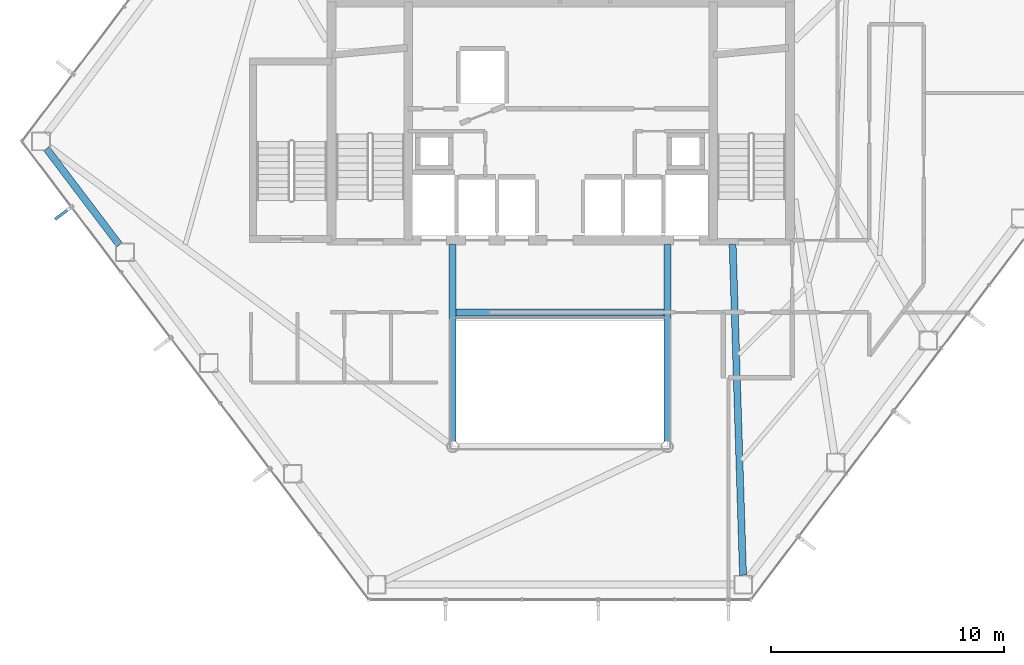
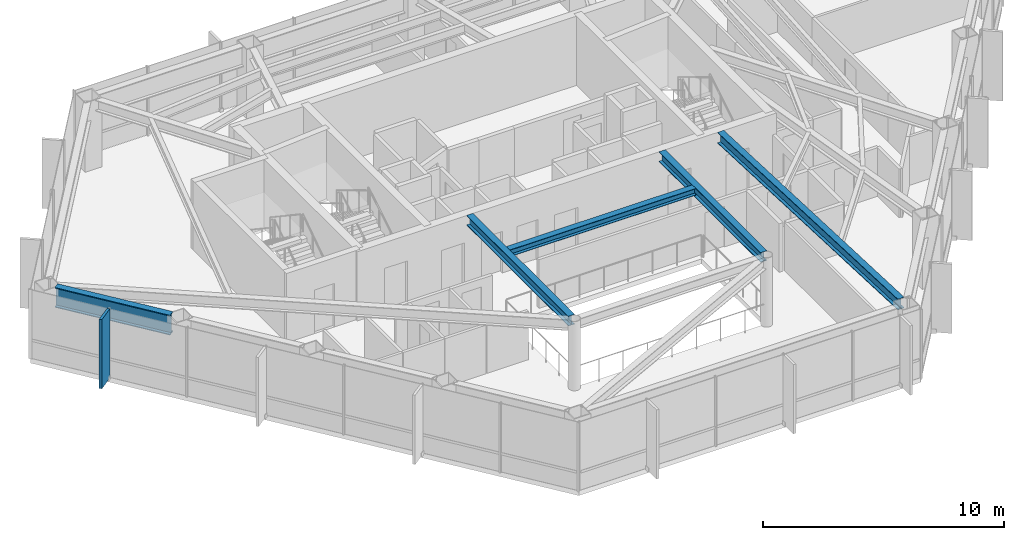
# One storey, part 9 of 28: 5 beams, 1 member, 1 element without a shape of its own.
"""IFC4 building model written with IfcOpenShell, lengths in metres."""

from ifc_helpers import new_model, si_unit, direction, frame, origin, origin_2d, place, context, subcontext, project, spatial, rectangle, i_section, extrude, material, layer, layer_set, material_profile, profile_set, type_object, element, aggregate, save


model = new_model("IFC4")

# Units and contexts
model_context = context("Model", 3, precision=1e-05, world=origin(), true_north=direction((0.0, 1.0)))
body_context = subcontext(model_context, "Body", "Model", "MODEL_VIEW")
ifc_project = project(units=[si_unit("LENGTHUNIT", "METRE"), si_unit("AREAUNIT", "SQUARE_METRE"), si_unit("VOLUMEUNIT", "CUBIC_METRE"), si_unit("PLANEANGLEUNIT", "RADIAN"), si_unit("MASSUNIT", "GRAM", prefix="KILO")], contexts=[model_context])

# Site, building, storey
site_placement = place(None, origin())
site = spatial("IfcSite", under=ifc_project, at=site_placement, CompositionType="ELEMENT")
building_placement = place(site_placement, origin())
building = spatial("IfcBuilding", under=site, at=building_placement, Name="Zarrinselat Tower", CompositionType="ELEMENT")
storey_placement = place(building_placement, frame((0.0, 0.0, 145.860107421875)))
storey = spatial("IfcBuildingStorey", under=building, at=storey_placement, Name="L35", CompositionType="ELEMENT", Elevation=145.860107421875)

# Beams
ifc_material_1 = material(Name="Steel S355J2", Category="steel")
ifc_material_profile_1 = material_profile(ifc_material_1, i_section(OverallWidth=0.300048828125, OverallDepth=0.35009765625, WebThickness=0.010009765625, FlangeThickness=0.017578125, at=origin_2d()), Name="HEA 360")
ifc_profile_set_1 = profile_set([ifc_material_profile_1], Name="Steel S355J2")
beam_type_1 = type_object("IfcBeamType", Name="BM-HEA360", PredefinedType="LINTEL", material=ifc_profile_set_1)
beam_1_placement = place(storey_placement, frame((33.93994140625, 30.14990234375, 3.324951171875), z_axis=(1.0, 0.0, 0.0), x_axis=(0.0, 1.0, 0.0)))
element("IfcBeam", 1, at=beam_1_placement, inside=storey, type_object=beam_type_1, Name="L35 Lift Lobby Ceiling Beam", PredefinedType="LINTEL", context=body_context, shape_type="SweptSolid", body=[
    extrude(i_section(OverallWidth=0.300048828125, OverallDepth=0.35009765625, WebThickness=0.010009765625, FlangeThickness=0.017578125, at=origin_2d()), origin(), (0.0, 0.0, 1.0), 8.920166015625),
])
ifc_material_2 = material(Name="Steel S355J2", Category="steel")
ifc_material_profile_2 = material_profile(ifc_material_2, i_section(OverallWidth=0.300048828125, OverallDepth=0.5, WebThickness=0.014404296875, FlangeThickness=0.028076171875, at=origin_2d()), Name="HEB 500")
ifc_profile_set_2 = profile_set([ifc_material_profile_2], Name="Steel S355J2")
beam_type_2 = type_object("IfcBeamType", Name="BM-HEB500", PredefinedType="BEAM", material=ifc_profile_set_2)
for number, where, z_axis, x_axis, name in (
    (2, (33.800048828125, 24.639892578125, 3.25), (0.0, 1.0, 0.0), (-1.0, 0.0, 0.0), "L35 Atrium Edge Beam W"),
    (3, (43.0, 24.639892578125, 3.25), (0.0, 1.0, 0.0), (-1.0, 0.0, 0.0), "L35 Atrium Edge Beam E"),
):
    element("IfcBeam", number, at=place(storey_placement, frame(where, z_axis=z_axis, x_axis=x_axis)), inside=storey, type_object=beam_type_2, Name=name, PredefinedType="BEAM", context=body_context, shape_type="SweptSolid", body=[
        extrude(i_section(OverallWidth=0.300048828125, OverallDepth=0.5, WebThickness=0.014404296875, FlangeThickness=0.028076171875, at=origin_2d()), origin(), (0.0, 0.0, 1.0), 8.420166015625),
    ])
ifc_material_3 = material(Name="Steel S355J2", Category="steel")
ifc_material_profile_3 = material_profile(ifc_material_3, i_section(OverallWidth=0.300048828125, OverallDepth=0.550048828125, WebThickness=0.014892578125, FlangeThickness=0.029052734375, at=origin_2d()), Name="HEB 550")
ifc_profile_set_3 = profile_set([ifc_material_profile_3], Name="Steel S355J2")
beam_type_3 = type_object("IfcBeamType", Name="BM-HEB550", PredefinedType="BEAM", material=ifc_profile_set_3)
beam_2_placement = place(storey_placement, frame((45.800048828125, 33.06005859375, 3.224853515625), z_axis=(0.031361572073, -0.999508104918, 0.0), x_axis=(0.999508104918, 0.031361572073, 0.0)))
element("IfcBeam", 4, at=beam_2_placement, inside=storey, type_object=beam_type_3, Name="L35 Radial Primary Girder RG11", PredefinedType="BEAM", context=body_context, shape_type="SweptSolid", body=[
    extrude(i_section(OverallWidth=0.300048828125, OverallDepth=0.550048828125, WebThickness=0.014892578125, FlangeThickness=0.029052734375, at=origin_2d()), origin(), (0.0, 0.0, 1.0), 14.183837890625),
])
ifc_material_4 = material(Name="Steel S460M", Category="steel")
ifc_material_profile_4 = material_profile(ifc_material_4, i_section(OverallWidth=0.302001953125, OverallDepth=1.008056640625, WebThickness=0.02099609375, FlangeThickness=0.0400390625, at=origin_2d()), Name="HEM 1000")
ifc_profile_set_4 = profile_set([ifc_material_profile_4], Name="Steel S460M")
beam_type_4 = type_object("IfcBeamType", Name="BM-HEM1000", PredefinedType="BEAM", material=ifc_profile_set_4)
beam_3_placement = place(storey_placement, frame((16.381591796875, 37.174072265625, 2.995849609375), z_axis=(0.603828671102, -0.797114129818, 0.0), x_axis=(0.797114129818, 0.603828671102, 0.0)))
element("IfcBeam", 5, at=beam_3_placement, inside=storey, type_object=beam_type_4, Name="L35 Perimeter Spandrel Girder SP06", PredefinedType="BEAM", context=body_context, shape_type="SweptSolid", body=[
    extrude(i_section(OverallWidth=0.302001953125, OverallDepth=1.008056640625, WebThickness=0.02099609375, FlangeThickness=0.0400390625, at=origin_2d()), origin(), (0.0, 0.0, 1.0), 5.183837890625),
])

# Curtain wall, member
ifc_material_5 = material(Name="Extruded Aluminium Alloy EN AW-6063 T6", Category="aluminium")
ifc_layer = layer(ifc_material_5, 0.175048828125)
ifc_layer_set = layer_set([ifc_layer], Name="Extruded Aluminium Alloy EN AW-6063 T6")
curtain_wall_type = type_object("IfcCurtainWallType", Name="CWS-HTL", PredefinedType="NOTDEFINED", material=ifc_layer_set)
curtain_wall_placement = place(storey_placement, origin())
curtain_wall = element("IfcCurtainWall", 6, at=curtain_wall_placement, inside=storey, type_object=curtain_wall_type, Name="L35 Unitised Curtain Wall CW-L35-E03", PredefinedType="NOTDEFINED")
ifc_material_6 = material(Name="Honed Cream Travertine Stone", Category="masonry")
ifc_material_profile_5 = material_profile(ifc_material_6, rectangle(XDim=0.1201171875, YDim=0.85009765625, at=origin_2d()), Name="FIN 850x120")
ifc_profile_set_5 = profile_set([ifc_material_profile_5], Name="Honed Cream Travertine Stone")
member_type = type_object("IfcMemberType", Name="MEM-STONE-FIN", PredefinedType="USERDEFINED", material=ifc_profile_set_5)
member_placement = place(storey_placement, frame((17.091796875, 34.398193359375, 0.0), z_axis=(0.0, 0.0, 1.0), x_axis=(-0.603856985167, 0.7970926806, 0.0)))
member = element("IfcMember", 7, at=member_placement, type_object=member_type, Name="L35 Stone Shading Fin CW-L35-E03-01", ObjectType="FIN", PredefinedType="USERDEFINED", context=body_context, shape_type="SweptSolid", body=[
    extrude(rectangle(XDim=0.1201171875, YDim=0.85009765625, at=origin_2d()), origin(), (0.0, 0.0, 1.0), 3.5),
])
aggregate(curtain_wall, [member])

save(model, "model.ifc")
